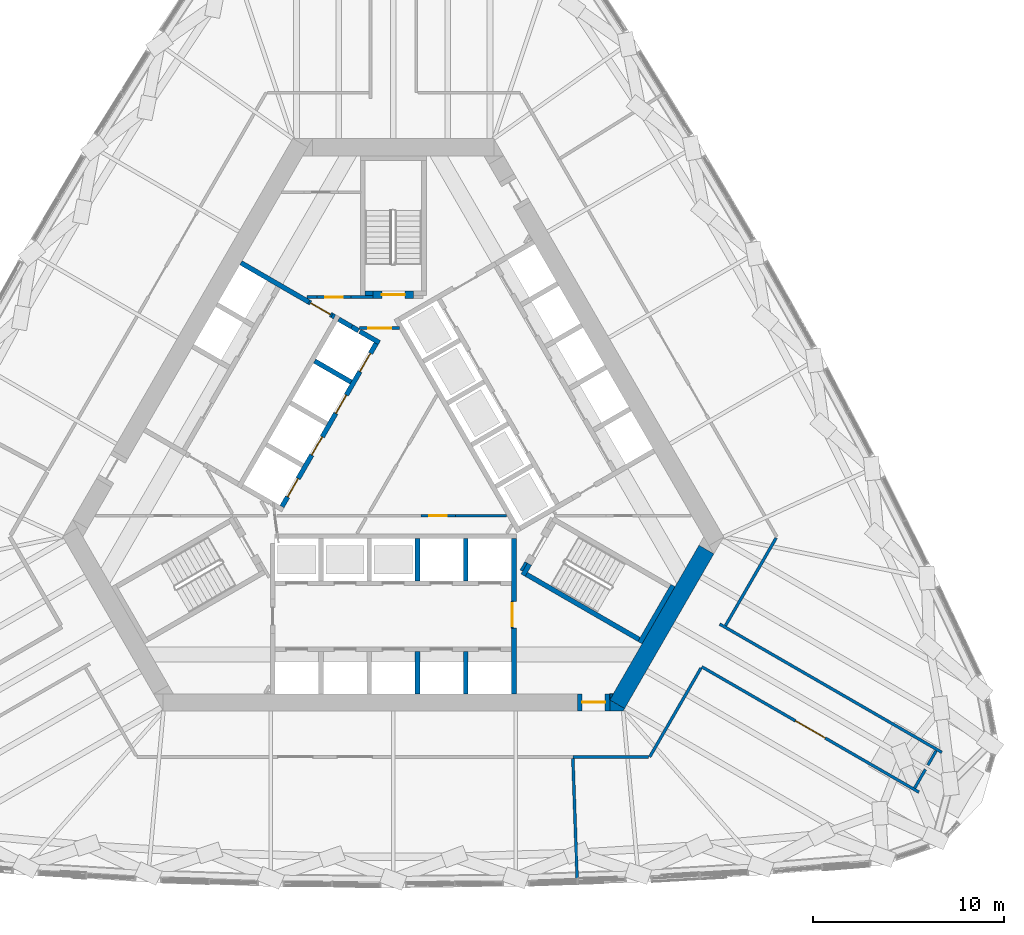
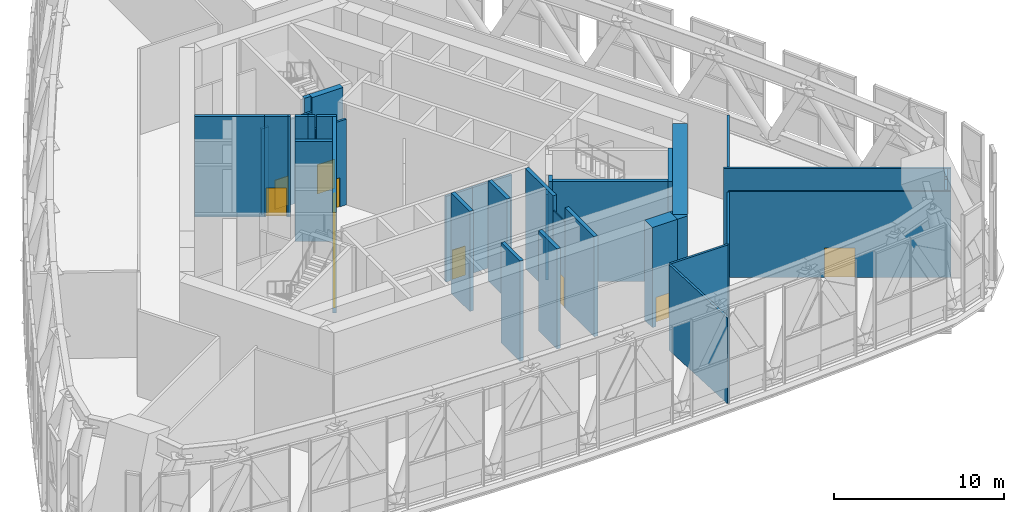
# One storey, part 23 of 33: 39 walls, 12 doors, 12 openings.
"""IFC4 building model written with IfcOpenShell, lengths in metres."""

from ifc_helpers import new_model, si_unit, direction, frame, frame_2d, origin, place, context, subcontext, project, spatial, polyline, rectangle, outline, extrude, material, layer, layer_set, type_object, element, fill, save


model = new_model("IFC4")

# Units and contexts
model_context = context("Model", 3, precision=1e-05, world=origin(), true_north=direction((0.0, 1.0)))
body_context = subcontext(model_context, "Body", "Model", "MODEL_VIEW")
ifc_project = project(units=[si_unit("LENGTHUNIT", "METRE"), si_unit("AREAUNIT", "SQUARE_METRE"), si_unit("VOLUMEUNIT", "CUBIC_METRE"), si_unit("PLANEANGLEUNIT", "RADIAN"), si_unit("MASSUNIT", "GRAM", prefix="KILO")], contexts=[model_context])

# Site, building, storey
site_placement = place(None, origin())
site = spatial("IfcSite", under=ifc_project, at=site_placement, CompositionType="ELEMENT")
building_placement = place(site_placement, origin())
building = spatial("IfcBuilding", under=site, at=building_placement, Name="Mestral Congress Tower", CompositionType="ELEMENT")
storey_placement = place(building_placement, frame((0.0, 0.0, 134.39990234375)))
storey = spatial("IfcBuildingStorey", under=building, at=storey_placement, Name="L32", CompositionType="ELEMENT", Elevation=134.39990234375)

# Walls
ifc_material_1 = material(Name="Fire-rated board partition")
ifc_layer_1 = layer(ifc_material_1, 0.14990234375)
ifc_layer_set_1 = layer_set([ifc_layer_1], Name="Fire-rated board partition")
wall_type_1 = type_object("IfcWallType", Name="Core partition 150", PredefinedType="PARTITIONING", material=ifc_layer_set_1)
wall_1_placement = place(storey_placement, frame((-3.99658203125, 8.625244140625, 0.0), z_axis=(0.0, 0.0, 1.0), x_axis=(-1.0, 0.0, 0.0)))
element("IfcWall", 1, at=wall_1_placement, inside=storey, type_object=wall_type_1, Name="L32 core wall", PredefinedType="PARTITIONING", context=body_context, shape_type="SweptSolid", body=[
    extrude(rectangle(XDim=0.502197265625, YDim=0.14990234375, at=frame_2d((0.2509765625, 0.0))), origin(), (0.0, 0.0, 1.0), 6.150146484375),
])
wall_2_placement = place(storey_placement, frame((6.68798828125, -5.667236328125, 0.0), z_axis=(0.0, 0.0, 1.0), x_axis=(0.499834152157, 0.86612113491, 0.0)))
element("IfcWall", 2, at=wall_2_placement, inside=storey, type_object=wall_type_1, Name="L32 core wall", PredefinedType="PARTITIONING", context=body_context, shape_type="SweptSolid", body=[
    extrude(rectangle(XDim=0.504638671875, YDim=0.14990234375, at=frame_2d((0.25244140625, 0.0))), origin(), (0.0, 0.0, 1.0), 6.150146484375),
])
wall_3_placement = place(storey_placement, frame((3.23828125, -2.800048828125, 0.0), z_axis=(0.0, 0.0, 1.0), x_axis=(1.0, 0.0, 0.0)))
element("IfcWall", 3, at=wall_3_placement, inside=storey, type_object=wall_type_1, Name="L32 core wall", PredefinedType="PARTITIONING", context=body_context, shape_type="SweptSolid", body=[
    extrude(rectangle(XDim=2.671630859375, YDim=0.14990234375, at=frame_2d((1.3359375, 0.0))), origin(), (0.0, 0.0, 1.0), 6.150146484375),
])
wall_4_placement = place(storey_placement, frame((-2.1962890625, 8.62548828125, 0.0), z_axis=(0.0, 0.0, 1.0), x_axis=(1.0, 0.0, 0.0)))
element("IfcWall", 4, at=wall_4_placement, inside=storey, type_object=wall_type_1, Name="L32 core wall", PredefinedType="PARTITIONING", context=body_context, shape_type="SweptSolid", body=[
    extrude(rectangle(XDim=1.146240234375, YDim=0.14990234375, at=frame_2d((0.5732421875, 0.0))), origin(), (0.0, 0.0, 1.0), 6.150146484375),
])

# Wall, opening, door
wall_5_placement = place(storey_placement, frame((-2.1962890625, 8.625, 0.0), z_axis=(0.0, 0.0, 1.0), x_axis=(-1.0, 0.0, 0.0)))
wall_5 = element("IfcWall", 5, at=wall_5_placement, inside=storey, type_object=wall_type_1, Name="L32 door wall", PredefinedType="PARTITIONING", context=body_context, shape_type="SweptSolid", body=[
    extrude(rectangle(XDim=1.800048828125, YDim=0.14990234375, at=frame_2d((0.89990234375, 0.0))), origin(), (0.0, 0.0, 1.0), 6.150146484375),
])
opening_1_placement = place(wall_5_placement, frame((0.449951171875, 0.0, 0.0)))
opening_1 = element("IfcOpeningElement", 6, at=opening_1_placement, cuts=wall_5, Name="Opening TD2", PredefinedType="OPENING", context=body_context, shape_type="SweptSolid", body=[
    extrude(rectangle(XDim=0.89990234375, YDim=2.10009765625, at=frame_2d((0.449951171875, 1.050048828125))), frame((0.0, 0.0849609375, 0.0), z_axis=(0.0, -1.0, 0.0), x_axis=(1.0, 0.0, 0.0)), (0.0, 0.0, 1.0), 0.169921875),
])
ifc_material_2 = material(Name="Fire-rated steel door set", Category="steel")
door_type_1 = type_object("IfcDoorType", Name="Core door SR 900x2100", OperationType="SINGLE_SWING_LEFT", PredefinedType="DOOR", material=ifc_material_2)
door_1_placement = place(opening_1_placement, origin())
door_1 = element("IfcDoor", 7, at=door_1_placement, inside=storey, type_object=door_type_1, Name="Door TD2", OperationType="SINGLE_SWING_LEFT", OverallHeight=2.10009765625, OverallWidth=0.89990234375, PredefinedType="DOOR", context=body_context, shape_type="SweptSolid", body=[
    extrude(rectangle(XDim=0.89990234375, YDim=2.10009765625, at=frame_2d((0.449951171875, 1.050048828125))), frame((0.0, 0.02490234375, 0.0), z_axis=(0.0, -1.0, 0.0), x_axis=(1.0, 0.0, 0.0)), (0.0, 0.0, 1.0), 0.050048828125),
])
fill(opening_1, door_1)

wall_6_placement = place(storey_placement, frame((-1.765380859375, 7.0, 0.0), z_axis=(0.0, 0.0, 1.0), x_axis=(1.0, 0.0, 0.0)))
wall_6 = element("IfcWall", 8, at=wall_6_placement, inside=storey, type_object=wall_type_1, Name="L32 door wall", PredefinedType="PARTITIONING", context=body_context, shape_type="SweptSolid", body=[
    extrude(rectangle(XDim=2.10009765625, YDim=0.14990234375, at=frame_2d((1.050048828125, 0.0))), origin(), (0.0, 0.0, 1.0), 6.150146484375),
])
opening_2_placement = place(wall_6_placement, frame((0.449951171875, 0.0, 0.0)))
opening_2 = element("IfcOpeningElement", 9, at=opening_2_placement, cuts=wall_6, Name="Opening CD2-FF", PredefinedType="OPENING", context=body_context, shape_type="SweptSolid", body=[
    extrude(rectangle(XDim=1.199951171875, YDim=2.10009765625, at=frame_2d((0.60009765625, 1.050048828125))), frame((0.0, 0.0849609375, 0.0), z_axis=(0.0, -1.0, 0.0), x_axis=(1.0, 0.0, 0.0)), (0.0, 0.0, 1.0), 0.169921875),
])
door_type_2 = type_object("IfcDoorType", Name="Core door CD 1200x2100", OperationType="SINGLE_SWING_LEFT", PredefinedType="DOOR", material=ifc_material_2)
door_2_placement = place(opening_2_placement, origin())
door_2 = element("IfcDoor", 10, at=door_2_placement, inside=storey, type_object=door_type_2, Name="Door CD2-FF", OperationType="SINGLE_SWING_LEFT", OverallHeight=2.10009765625, OverallWidth=1.199951171875, PredefinedType="DOOR", context=body_context, shape_type="SweptSolid", body=[
    extrude(rectangle(XDim=1.199951171875, YDim=2.10009765625, at=frame_2d((0.60009765625, 1.050048828125))), frame((0.0, 0.02490234375, 0.0), z_axis=(0.0, -1.0, 0.0), x_axis=(1.0, 0.0, 0.0)), (0.0, 0.0, 1.0), 0.050048828125),
])
fill(opening_2, door_2)

wall_7_placement = place(storey_placement, frame((1.438232421875, -2.800048828125, 0.0), z_axis=(0.0, 0.0, 1.0), x_axis=(1.0, 0.0, 0.0)))
wall_7 = element("IfcWall", 11, at=wall_7_placement, inside=storey, type_object=wall_type_1, Name="L32 door wall", PredefinedType="PARTITIONING", context=body_context, shape_type="SweptSolid", body=[
    extrude(rectangle(XDim=1.800048828125, YDim=0.14990234375, at=frame_2d((0.89990234375, 0.0))), origin(), (0.0, 0.0, 1.0), 6.150146484375),
])
opening_3_placement = place(wall_7_placement, frame((0.449951171875, 0.0, 0.0)))
opening_3 = element("IfcOpeningElement", 12, at=opening_3_placement, cuts=wall_7, Name="Opening SD-HUB3", PredefinedType="OPENING", context=body_context, shape_type="SweptSolid", body=[
    extrude(rectangle(XDim=0.89990234375, YDim=2.10009765625, at=frame_2d((0.449951171875, 1.050048828125))), frame((0.0, 0.0849609375, 0.0), z_axis=(0.0, -1.0, 0.0), x_axis=(1.0, 0.0, 0.0)), (0.0, 0.0, 1.0), 0.169921875),
])
door_3_placement = place(opening_3_placement, origin())
door_3 = element("IfcDoor", 13, at=door_3_placement, inside=storey, type_object=door_type_1, Name="Door SD-HUB3", OperationType="SINGLE_SWING_LEFT", OverallHeight=2.10009765625, OverallWidth=0.89990234375, PredefinedType="DOOR", context=body_context, shape_type="SweptSolid", body=[
    extrude(rectangle(XDim=0.89990234375, YDim=2.10009765625, at=frame_2d((0.449951171875, 1.050048828125))), frame((0.0, 0.02490234375, 0.0), z_axis=(0.0, -1.0, 0.0), x_axis=(1.0, 0.0, 0.0)), (0.0, 0.0, 1.0), 0.050048828125),
])
fill(opening_3, door_3)

ifc_layer_2 = layer(ifc_material_1, 0.090087890625)
ifc_layer_set_2 = layer_set([ifc_layer_2], Name="Fire-rated board partition")
wall_type_2 = type_object("IfcWallType", Name="Core partition 150 door-wall 90", PredefinedType="PARTITIONING", material=ifc_layer_set_2)
wall_8_placement = place(storey_placement, frame((6.219970703125, -7.266357421875, 0.0), z_axis=(0.0, 0.0, 1.0), x_axis=(0.0, -1.0, 0.0)))
wall_8 = element("IfcWall", 14, at=wall_8_placement, inside=storey, type_object=wall_type_2, Name="L32 door wall", PredefinedType="PARTITIONING", context=body_context, shape_type="SweptSolid", body=[
    extrude(rectangle(XDim=1.400146484375, YDim=0.090087890625, at=frame_2d((0.7001953125, 0.0))), origin(), (0.0, 0.0, 1.0), 6.150146484375),
])
opening_4_placement = place(wall_8_placement, frame((0.10009765625, 0.0, 0.0)))
opening_4 = element("IfcOpeningElement", 15, at=opening_4_placement, cuts=wall_8, Name="Opening LB0-WL1", PredefinedType="OPENING", context=body_context, shape_type="SweptSolid", body=[
    extrude(rectangle(XDim=1.199951171875, YDim=2.10009765625, at=frame_2d((0.60009765625, 1.050048828125))), frame((0.0, 0.054931640625, 0.0), z_axis=(0.0, -1.0, 0.0), x_axis=(1.0, 0.0, 0.0)), (0.0, 0.0, 1.0), 0.110107421875),
])
door_type_3 = type_object("IfcDoorType", Name="Core door LB 1200x2100", OperationType="SINGLE_SWING_LEFT", PredefinedType="DOOR", material=ifc_material_2)
door_4_placement = place(opening_4_placement, origin())
door_4 = element("IfcDoor", 16, at=door_4_placement, inside=storey, type_object=door_type_3, Name="Door LB0-WL1", OperationType="SINGLE_SWING_LEFT", OverallHeight=2.10009765625, OverallWidth=1.199951171875, PredefinedType="DOOR", context=body_context, shape_type="SweptSolid", body=[
    extrude(rectangle(XDim=1.199951171875, YDim=2.10009765625, at=frame_2d((0.60009765625, 1.050048828125))), frame((0.0, 0.02490234375, 0.0), z_axis=(0.0, -1.0, 0.0), x_axis=(1.0, 0.0, 0.0)), (0.0, 0.0, 1.0), 0.050048828125),
])
fill(opening_4, door_4)

# Walls
ifc_material_3 = material(Name="Concrete C60/75", Category="concrete")
ifc_layer_3 = layer(ifc_material_3, 0.89990234375)
ifc_layer_set_3 = layer_set([ifc_layer_3], Name="Concrete C60/75")
wall_type_3 = type_object("IfcWallType", Name="Core wall RC 900", PredefinedType="SOLIDWALL", material=ifc_layer_set_3)
wall_9_placement = place(storey_placement, frame((11.69482421875, -12.643798828125, 0.0), z_axis=(0.0, 0.0, 1.0), x_axis=(0.500010229568, 0.86601949766, 0.0)))
element("IfcWall", 17, at=wall_9_placement, inside=storey, type_object=wall_type_3, Name="L32 core wall", PredefinedType="SOLIDWALL", context=body_context, shape_type="SweptSolid", body=[
    extrude(rectangle(XDim=9.326416015625, YDim=0.89990234375, at=frame_2d((4.6630859375, 0.0))), origin(), (0.0, 0.0, 1.0), 7.2001953125),
])
placement = place(storey_placement, origin())
element("IfcWall", 18, at=placement, inside=storey, type_object=wall_type_3, Name="L32 core wall", PredefinedType="SOLIDWALL", context=body_context, shape_type="SweptSolid", body=[
    extrude(outline(polyline([(12.0087890625, -13.0), (11.31201171875, -13.0), (11.31201171875, -12.425048828125), (12.08349609375, -12.87060546875), (12.0087890625, -13.0)])), origin(), (0.0, 0.0, 1.0), 7.2001953125),
])
element("IfcWall", 19, at=placement, inside=storey, type_object=wall_type_3, Name="L32 core wall", PredefinedType="SOLIDWALL", context=body_context, shape_type="SweptSolid", body=[
    extrude(outline(polyline([(11.4892578125, -12.10009765625), (11.31201171875, -12.4072265625), (11.31201171875, -12.10009765625), (11.4892578125, -12.10009765625)])), origin(), (0.0, 0.0, 1.0), 7.2001953125),
])

# Wall, opening, door
wall_12_placement = place(storey_placement, frame((11.311767578125, -12.550048828125, 0.0), z_axis=(0.0, 0.0, 1.0), x_axis=(-1.0, 0.0, 0.0)))
wall_12 = element("IfcWall", 20, at=wall_12_placement, inside=storey, type_object=wall_type_3, Name="L32 door wall", PredefinedType="SOLIDWALL", context=body_context, shape_type="SweptSolid", body=[
    extrude(rectangle(XDim=1.699951171875, YDim=0.89990234375, at=frame_2d((0.85009765625, 0.0))), origin(), (0.0, 0.0, 1.0), 7.2001953125),
])
opening_5_placement = place(wall_12_placement, frame((0.25, 0.0, 0.0)))
opening_5 = element("IfcOpeningElement", 21, at=opening_5_placement, cuts=wall_12, Name="Opening XD1", PredefinedType="OPENING", context=body_context, shape_type="SweptSolid", body=[
    extrude(rectangle(XDim=1.199951171875, YDim=2.10009765625, at=frame_2d((0.60009765625, 1.050048828125))), frame((0.0, 0.4599609375, 0.0), z_axis=(0.0, -1.0, 0.0), x_axis=(1.0, 0.0, 0.0)), (0.0, 0.0, 1.0), 0.919921875),
])
door_type_4 = type_object("IfcDoorType", Name="Core door XD 1200x2100", OperationType="SINGLE_SWING_LEFT", PredefinedType="DOOR", material=ifc_material_2)
door_5_placement = place(opening_5_placement, origin())
door_5 = element("IfcDoor", 22, at=door_5_placement, inside=storey, type_object=door_type_4, Name="Door XD1", OperationType="SINGLE_SWING_LEFT", OverallHeight=2.10009765625, OverallWidth=1.199951171875, PredefinedType="DOOR", context=body_context, shape_type="SweptSolid", body=[
    extrude(rectangle(XDim=1.199951171875, YDim=2.10009765625, at=frame_2d((0.60009765625, 1.050048828125))), frame((0.0, 0.02490234375, 0.0), z_axis=(0.0, -1.0, 0.0), x_axis=(1.0, 0.0, 0.0)), (0.0, 0.0, 1.0), 0.050048828125),
])
fill(opening_5, door_5)

# Walls
ifc_layer_4 = layer(ifc_material_3, 0.25)
ifc_layer_set_4 = layer_set([ifc_layer_4], Name="Concrete C60/75")
wall_type_4 = type_object("IfcWallType", Name="Shaft wall RC 250", PredefinedType="SOLIDWALL", material=ifc_layer_set_4)
wall_13_placement = place(storey_placement, frame((6.300048828125, -8.669921875, 0.0), z_axis=(0.0, 0.0, 1.0), x_axis=(0.0, -1.0, 0.0)))
element("IfcWall", 23, at=wall_13_placement, inside=storey, type_object=wall_type_4, Name="L32 core wall", PredefinedType="SOLIDWALL", context=body_context, shape_type="SweptSolid", body=[
    extrude(rectangle(XDim=3.43017578125, YDim=0.25, at=frame_2d((1.715087890625, 0.0))), origin(), (0.0, 0.0, 1.0), 7.2001953125),
])
wall_14_placement = place(storey_placement, frame((6.300048828125, -7.26806640625, 0.0), z_axis=(0.0, 0.0, 1.0), x_axis=(0.0, 1.0, 0.0)))
element("IfcWall", 24, at=wall_14_placement, inside=storey, type_object=wall_type_4, Name="L32 core wall", PredefinedType="SOLIDWALL", context=body_context, shape_type="SweptSolid", body=[
    extrude(rectangle(XDim=3.26806640625, YDim=0.25, at=frame_2d((1.634033203125, 0.0))), origin(), (0.0, 0.0, 1.0), 7.2001953125),
])
for number, where, z_axis, x_axis, name in (
    (25, (3.780029296875, -4.0, 0.0), (0.0, 0.0, 1.0), (0.0, -1.0, 0.0), "L32 core wall"),
    (26, (1.260009765625, -4.0, 0.0), (0.0, 0.0, 1.0), (0.0, -1.0, 0.0), "L32 core wall"),
    (27, (3.780029296875, -12.10009765625, 0.0), (0.0, 0.0, 1.0), (0.0, 1.0, 0.0), "L32 core wall"),
    (28, (1.260009765625, -12.10009765625, 0.0), (0.0, 0.0, 1.0), (0.0, 1.0, 0.0), "L32 core wall"),
):
    element("IfcWall", number, at=place(storey_placement, frame(where, z_axis=z_axis, x_axis=x_axis)), inside=storey, type_object=wall_type_4, Name=name, PredefinedType="SOLIDWALL", context=body_context, shape_type="SweptSolid", body=[
        extrude(rectangle(XDim=2.199951171875, YDim=0.25, at=frame_2d((1.10009765625, 0.0))), origin(), (0.0, 0.0, 1.0), 7.2001953125),
    ])
wall_15_placement = place(storey_placement, frame((-1.818603515625, 6.869873046875, 0.0), z_axis=(0.0, 0.0, 1.0), x_axis=(-0.866294599386, 0.499533449405, 0.0)))
element("IfcWall", 29, at=wall_15_placement, inside=storey, type_object=wall_type_4, Name="L32 core wall", PredefinedType="SOLIDWALL", context=body_context, shape_type="SweptSolid", body=[
    extrude(rectangle(XDim=0.41015625, YDim=0.25, at=frame_2d((0.205078125, 0.0))), origin(), (0.0, 0.0, 1.0), 7.2001953125),
])
wall_16_placement = place(storey_placement, frame((-2.849365234375, 7.46484375, 0.0), z_axis=(0.0, 0.0, 1.0), x_axis=(0.865955664968, -0.500120771724, 0.0)))
element("IfcWall", 30, at=wall_16_placement, inside=storey, type_object=wall_type_4, Name="L32 core wall", PredefinedType="SOLIDWALL", context=body_context, shape_type="SweptSolid", body=[
    extrude(rectangle(XDim=0.778076171875, YDim=0.25, at=frame_2d((0.38916015625, 0.0))), origin(), (0.0, 0.0, 1.0), 7.2001953125),
])
wall_17_placement = place(storey_placement, frame((-0.7275390625, 6.23974609375, 0.0), z_axis=(0.0, 0.0, 1.0), x_axis=(-0.866002680491, 0.500039355833, 0.0)))
element("IfcWall", 31, at=wall_17_placement, inside=storey, type_object=wall_type_4, Name="L32 core wall", PredefinedType="SOLIDWALL", context=body_context, shape_type="SweptSolid", body=[
    extrude(rectangle(XDim=1.17822265625, YDim=0.25, at=frame_2d((0.589111328125, 0.0))), origin(), (0.0, 0.0, 1.0), 7.2001953125),
])
wall_18_placement = place(storey_placement, frame((-2.2041015625, 4.182373046875, 0.0), z_axis=(0.0, 0.0, 1.0), x_axis=(-0.866008176907, 0.50002983664, 0.0)))
element("IfcWall", 32, at=wall_18_placement, inside=storey, type_object=wall_type_4, Name="L32 core wall", PredefinedType="SOLIDWALL", context=body_context, shape_type="SweptSolid", body=[
    extrude(rectangle(XDim=2.199951171875, YDim=0.25, at=frame_2d((1.10009765625, 0.0))), origin(), (0.0, 0.0, 1.0), 7.2001953125),
])
element("IfcWall", 33, at=placement, inside=storey, type_object=wall_type_4, Name="L32 core wall", PredefinedType="SOLIDWALL", context=body_context, shape_type="SweptSolid", body=[
    extrude(outline(polyline([(-3.12841796875, 7.4814453125), (-3.2587890625, 7.556640625), (-3.1337890625, 7.773193359375), (-3.00341796875, 7.697998046875), (-3.12841796875, 7.4814453125)])), origin(), (0.0, 0.0, 1.0), 7.2001953125),
])
wall_20_placement = place(storey_placement, frame((-7.958984375, 10.414794921875, 0.0), z_axis=(0.0, 0.0, 1.0), x_axis=(0.866020958405, -0.500007699544, 0.0)))
element("IfcWall", 34, at=wall_20_placement, inside=storey, type_object=wall_type_4, Name="L32 core wall", PredefinedType="SOLIDWALL", context=body_context, shape_type="SweptSolid", body=[
    extrude(rectangle(XDim=4.099609375, YDim=0.25, at=frame_2d((2.0498046875, 0.0))), origin(), (0.0, 0.0, 1.0), 7.2001953125),
])

# Wall, openings, doors
wall_21_placement = place(storey_placement, frame((-0.898193359375, 6.194091796875, 0.0), z_axis=(0.0, 0.0, 1.0), x_axis=(-0.499996202215, -0.866027596426, 0.0)))
wall_21 = element("IfcWall", 35, at=wall_21_placement, inside=storey, type_object=wall_type_4, Name="L32 door wall", PredefinedType="SOLIDWALL", context=body_context, shape_type="SweptSolid", body=[
    extrude(rectangle(XDim=9.830078125, YDim=0.25, at=frame_2d((4.9150390625, 0.0))), origin(), (0.0, 0.0, 1.0), 7.2001953125),
])
opening_6_placement = place(wall_21_placement, frame((0.5849609375, 0.0, 0.0)))
opening_6 = element("IfcOpeningElement", 36, at=opening_6_placement, cuts=wall_21, Name="Opening LD-NWB1", PredefinedType="OPENING", context=body_context, shape_type="SweptSolid", body=[
    extrude(rectangle(XDim=1.10009765625, YDim=2.10009765625, at=frame_2d((0.550048828125, 1.050048828125))), frame((0.0, 0.135009765625, 0.0), z_axis=(0.0, -1.0, 0.0), x_axis=(1.0, 0.0, 0.0)), (0.0, 0.0, 1.0), 0.27001953125),
])
opening_7_placement = place(wall_21_placement, frame((3.10498046875, 0.0, 0.0)))
opening_7 = element("IfcOpeningElement", 37, at=opening_7_placement, cuts=wall_21, Name="Opening LD-NWB2", PredefinedType="OPENING", context=body_context, shape_type="SweptSolid", body=[
    extrude(rectangle(XDim=1.10009765625, YDim=2.10009765625, at=frame_2d((0.550048828125, 1.050048828125))), frame((0.0, 0.135009765625, 0.0), z_axis=(0.0, -1.0, 0.0), x_axis=(1.0, 0.0, 0.0)), (0.0, 0.0, 1.0), 0.27001953125),
])
opening_8_placement = place(wall_21_placement, frame((5.625, 0.0, 0.0)))
opening_8 = element("IfcOpeningElement", 38, at=opening_8_placement, cuts=wall_21, Name="Opening LD-NWB3", PredefinedType="OPENING", context=body_context, shape_type="SweptSolid", body=[
    extrude(rectangle(XDim=1.10009765625, YDim=2.10009765625, at=frame_2d((0.550048828125, 1.050048828125))), frame((0.0, 0.135009765625, 0.0), z_axis=(0.0, -1.0, 0.0), x_axis=(1.0, 0.0, 0.0)), (0.0, 0.0, 1.0), 0.27001953125),
])
opening_9_placement = place(wall_21_placement, frame((8.14501953125, 0.0, 0.0)))
opening_9 = element("IfcOpeningElement", 39, at=opening_9_placement, cuts=wall_21, Name="Opening LD-NWB4", PredefinedType="OPENING", context=body_context, shape_type="SweptSolid", body=[
    extrude(rectangle(XDim=1.10009765625, YDim=2.10009765625, at=frame_2d((0.550048828125, 1.050048828125))), frame((0.0, 0.135009765625, 0.0), z_axis=(0.0, -1.0, 0.0), x_axis=(1.0, 0.0, 0.0)), (0.0, 0.0, 1.0), 0.27001953125),
])
door_type_5 = type_object("IfcDoorType", Name="Core door LD 1100x2100", OperationType="DOUBLE_DOOR_SLIDING", PredefinedType="DOOR", material=ifc_material_2)
door_6_placement = place(opening_6_placement, origin())
door_6 = element("IfcDoor", 40, at=door_6_placement, inside=storey, type_object=door_type_5, Name="Door LD-NWB1", OperationType="DOUBLE_DOOR_SLIDING", OverallHeight=2.10009765625, OverallWidth=1.10009765625, PredefinedType="DOOR", context=body_context, shape_type="SweptSolid", body=[
    extrude(rectangle(XDim=1.10009765625, YDim=2.10009765625, at=frame_2d((0.550048828125, 1.050048828125))), frame((0.0, 0.02490234375, 0.0), z_axis=(0.0, -1.0, 0.0), x_axis=(1.0, 0.0, 0.0)), (0.0, 0.0, 1.0), 0.050048828125),
])
fill(opening_6, door_6)
door_7_placement = place(opening_7_placement, origin())
door_7 = element("IfcDoor", 41, at=door_7_placement, inside=storey, type_object=door_type_5, Name="Door LD-NWB2", OperationType="DOUBLE_DOOR_SLIDING", OverallHeight=2.10009765625, OverallWidth=1.10009765625, PredefinedType="DOOR", context=body_context, shape_type="SweptSolid", body=[
    extrude(rectangle(XDim=1.10009765625, YDim=2.10009765625, at=frame_2d((0.550048828125, 1.050048828125))), frame((0.0, 0.02490234375, 0.0), z_axis=(0.0, -1.0, 0.0), x_axis=(1.0, 0.0, 0.0)), (0.0, 0.0, 1.0), 0.050048828125),
])
fill(opening_7, door_7)
door_8_placement = place(opening_8_placement, origin())
door_8 = element("IfcDoor", 42, at=door_8_placement, inside=storey, type_object=door_type_5, Name="Door LD-NWB3", OperationType="DOUBLE_DOOR_SLIDING", OverallHeight=2.10009765625, OverallWidth=1.10009765625, PredefinedType="DOOR", context=body_context, shape_type="SweptSolid", body=[
    extrude(rectangle(XDim=1.10009765625, YDim=2.10009765625, at=frame_2d((0.550048828125, 1.050048828125))), frame((0.0, 0.02490234375, 0.0), z_axis=(0.0, -1.0, 0.0), x_axis=(1.0, 0.0, 0.0)), (0.0, 0.0, 1.0), 0.050048828125),
])
fill(opening_8, door_8)
door_9_placement = place(opening_9_placement, origin())
door_9 = element("IfcDoor", 43, at=door_9_placement, inside=storey, type_object=door_type_5, Name="Door LD-NWB4", OperationType="DOUBLE_DOOR_SLIDING", OverallHeight=2.10009765625, OverallWidth=1.10009765625, PredefinedType="DOOR", context=body_context, shape_type="SweptSolid", body=[
    extrude(rectangle(XDim=1.10009765625, YDim=2.10009765625, at=frame_2d((0.550048828125, 1.050048828125))), frame((0.0, 0.02490234375, 0.0), z_axis=(0.0, -1.0, 0.0), x_axis=(1.0, 0.0, 0.0)), (0.0, 0.0, 1.0), 0.050048828125),
])
fill(opening_9, door_9)

# Wall, opening, door
wall_22_placement = place(storey_placement, frame((-4.40869140625, 8.364990234375, 0.0), z_axis=(0.0, 0.0, 1.0), x_axis=(0.866034573852, -0.49998411664, 0.0)))
wall_22 = element("IfcWall", 44, at=wall_22_placement, inside=storey, type_object=wall_type_4, Name="L32 door wall", PredefinedType="SOLIDWALL", context=body_context, shape_type="SweptSolid", body=[
    extrude(rectangle(XDim=1.39990234375, YDim=0.25, at=frame_2d((0.699951171875, 0.0))), origin(), (0.0, 0.0, 1.0), 7.2001953125),
])
opening_10_placement = place(wall_22_placement, frame((0.10009765625, 0.0, 0.0)))
opening_10 = element("IfcOpeningElement", 45, at=opening_10_placement, cuts=wall_22, Name="Opening LB2-WL2", PredefinedType="OPENING", context=body_context, shape_type="SweptSolid", body=[
    extrude(rectangle(XDim=1.199951171875, YDim=2.10009765625, at=frame_2d((0.60009765625, 1.050048828125))), frame((0.0, 0.135009765625, 0.0), z_axis=(0.0, -1.0, 0.0), x_axis=(1.0, 0.0, 0.0)), (0.0, 0.0, 1.0), 0.27001953125),
])
door_10_placement = place(opening_10_placement, origin())
door_10 = element("IfcDoor", 46, at=door_10_placement, inside=storey, type_object=door_type_3, Name="Door LB2-WL2", OperationType="SINGLE_SWING_LEFT", OverallHeight=2.10009765625, OverallWidth=1.199951171875, PredefinedType="DOOR", context=body_context, shape_type="SweptSolid", body=[
    extrude(rectangle(XDim=1.199951171875, YDim=2.10009765625, at=frame_2d((0.60009765625, 1.050048828125))), frame((0.0, 0.02490234375, 0.0), z_axis=(0.0, -1.0, 0.0), x_axis=(1.0, 0.0, 0.0)), (0.0, 0.0, 1.0), 0.050048828125),
])
fill(opening_10, door_10)

ifc_layer_5 = layer(ifc_material_1, 0.14990234375)
ifc_layer_set_5 = layer_set([ifc_layer_5], Name="Fire-rated board partition")
wall_type_5 = type_object("IfcWallType", Name="Special partition 150 EI 180", PredefinedType="PARTITIONING", material=ifc_layer_set_5)
wall_23_placement = place(storey_placement, frame((16.1142578125, -10.689208984375, 0.0), z_axis=(0.0, 0.0, 1.0), x_axis=(0.866025427251, -0.499999959354, 0.0)))
wall_23 = element("IfcWall", 47, at=wall_23_placement, inside=storey, type_object=wall_type_5, Name="Partition", PredefinedType="PARTITIONING", context=body_context, shape_type="SweptSolid", body=[
    extrude(rectangle(XDim=13.0986328125, YDim=0.14990234375, at=frame_2d((6.54931640625, 0.0))), origin(), (0.0, 0.0, 1.0), 6.150146484375),
])
opening_11_placement = place(wall_23_placement, frame((5.6494140625, 0.0, 0.0)))
opening_11 = element("IfcOpeningElement", 48, at=opening_11_placement, cuts=wall_23, Name="Opening S32-004", PredefinedType="OPENING", context=body_context, shape_type="SweptSolid", body=[
    extrude(rectangle(XDim=1.800048828125, YDim=2.10009765625, at=frame_2d((0.89990234375, 1.050048828125))), frame((0.0, 0.0849609375, 0.0), z_axis=(0.0, -1.0, 0.0), x_axis=(1.0, 0.0, 0.0)), (0.0, 0.0, 1.0), 0.169921875),
])
door_type_6 = type_object("IfcDoorType", Name="Assembly double door 1800x2100", OperationType="DOUBLE_DOOR_SINGLE_SWING", PredefinedType="DOOR", material=ifc_material_2)
door_11_placement = place(opening_11_placement, origin())
door_11 = element("IfcDoor", 49, at=door_11_placement, inside=storey, type_object=door_type_6, Name="Door S32-004", OperationType="DOUBLE_DOOR_SINGLE_SWING", OverallHeight=2.10009765625, OverallWidth=1.800048828125, PredefinedType="DOOR", context=body_context, shape_type="SweptSolid", body=[
    extrude(rectangle(XDim=1.800048828125, YDim=2.10009765625, at=frame_2d((0.89990234375, 1.050048828125))), frame((0.0, 0.02490234375, 0.0), z_axis=(0.0, -1.0, 0.0), x_axis=(1.0, 0.0, 0.0)), (0.0, 0.0, 1.0), 0.050048828125),
])
fill(opening_11, door_11)

# Walls
wall_24_placement = place(storey_placement, frame((17.054443359375, -8.460693359375, 0.0), z_axis=(0.0, 0.0, 1.0), x_axis=(0.866019909064, -0.500009517014, 0.0)))
element("IfcWall", 50, at=wall_24_placement, inside=storey, type_object=wall_type_5, Name="Partition", PredefinedType="PARTITIONING", context=body_context, shape_type="SweptSolid", body=[
    extrude(rectangle(XDim=13.398681640625, YDim=0.14990234375, at=frame_2d((6.69921875, 0.0))), origin(), (0.0, 0.0, 1.0), 6.150146484375),
])
wall_25_placement = place(storey_placement, frame((9.38232421875, -15.47998046875, 0.0), z_axis=(0.0, 0.0, 1.0), x_axis=(0.035074721938, -0.999384692639, 0.0)))
element("IfcWall", 51, at=wall_25_placement, inside=storey, type_object=wall_type_5, Name="Partition", PredefinedType="PARTITIONING", context=body_context, shape_type="SweptSolid", body=[
    extrude(rectangle(XDim=6.480224609375, YDim=0.14990234375, at=frame_2d((3.240234375, 0.0))), origin(), (0.0, 0.0, 1.0), 6.150146484375),
])
wall_26_placement = place(storey_placement, frame((19.9990234375, -3.960693359375, 0.0), z_axis=(0.0, 0.0, 1.0), x_axis=(-0.500006123685, -0.866021868245, 0.0)))
element("IfcWall", 52, at=wall_26_placement, inside=storey, type_object=wall_type_5, Name="Partition", PredefinedType="PARTITIONING", context=body_context, shape_type="SweptSolid", body=[
    extrude(rectangle(XDim=5.28955078125, YDim=0.14990234375, at=frame_2d((2.644775390625, 0.0))), origin(), (0.0, 0.0, 1.0), 6.150146484375),
])
wall_27_placement = place(storey_placement, frame((16.07421875, -10.758544921875, 0.0), z_axis=(0.0, 0.0, 1.0), x_axis=(-0.499999796116, -0.866025521497, 0.0)))
element("IfcWall", 53, at=wall_27_placement, inside=storey, type_object=wall_type_5, Name="Partition", PredefinedType="PARTITIONING", context=body_context, shape_type="SweptSolid", body=[
    extrude(rectangle(XDim=5.359375, YDim=0.14990234375, at=frame_2d((2.6796875, 0.0))), origin(), (0.0, 0.0, 1.0), 6.150146484375),
])
wall_28_placement = place(storey_placement, frame((13.324462890625, -15.39990234375, 0.0), z_axis=(0.0, 0.0, 1.0), x_axis=(-1.0, 0.0, 0.0)))
element("IfcWall", 54, at=wall_28_placement, inside=storey, type_object=wall_type_5, Name="Partition", PredefinedType="PARTITIONING", context=body_context, shape_type="SweptSolid", body=[
    extrude(rectangle(XDim=3.93505859375, YDim=0.14990234375, at=frame_2d((1.967529296875, 0.0))), origin(), (0.0, 0.0, 1.0), 6.150146484375),
])
wall_29_placement = place(storey_placement, frame((27.79833984375, -16.049072265625, 0.0), z_axis=(0.0, 0.0, 1.0), x_axis=(-0.499936258447, -0.86606220186, 0.0)))
element("IfcWall", 55, at=wall_29_placement, inside=storey, type_object=wall_type_5, Name="Partition", PredefinedType="PARTITIONING", context=body_context, shape_type="SweptSolid", body=[
    extrude(rectangle(XDim=1.120361328125, YDim=0.14990234375, at=frame_2d((0.56005859375, 0.0))), origin(), (0.0, 0.0, 1.0), 6.150146484375),
])
wall_30_placement = place(storey_placement, frame((28.358154296875, -15.079345703125, 0.0), z_axis=(0.0, 0.0, 1.0), x_axis=(-0.500017393812, -0.86601536123, 0.0)))
element("IfcWall", 56, at=wall_30_placement, inside=storey, type_object=wall_type_5, Name="Partition", PredefinedType="PARTITIONING", context=body_context, shape_type="SweptSolid", body=[
    extrude(rectangle(XDim=0.85986328125, YDim=0.14990234375, at=frame_2d((0.429931640625, 0.0))), origin(), (0.0, 0.0, 1.0), 6.150146484375),
])
ifc_layer_6 = layer(ifc_material_3, 0.25)
ifc_layer_set_6 = layer_set([ifc_layer_6], Name="Concrete C60/75")
wall_type_6 = type_object("IfcWallType", Name="Stair wall RC 250", PredefinedType="SOLIDWALL", material=ifc_layer_set_6)
wall_31_placement = place(storey_placement, frame((12.885498046875, -9.431396484375, 0.0), z_axis=(0.0, 0.0, 1.0), x_axis=(0.500020560727, 0.866013532718, 0.0)))
element("IfcWall", 57, at=wall_31_placement, inside=storey, type_object=wall_type_6, Name="L32 core wall", PredefinedType="SOLIDWALL", context=body_context, shape_type="SweptSolid", body=[
    extrude(rectangle(XDim=3.449951171875, YDim=0.25, at=frame_2d((1.72509765625, 0.0))), origin(), (0.0, 0.0, 1.0), 7.2001953125),
])
wall_32_placement = place(storey_placement, frame((12.83984375, -9.2607421875, 0.0), z_axis=(0.0, 0.0, 1.0), x_axis=(-0.866013990052, 0.500019768644, 0.0)))
element("IfcWall", 58, at=wall_32_placement, inside=storey, type_object=wall_type_6, Name="L32 core wall", PredefinedType="SOLIDWALL", context=body_context, shape_type="SweptSolid", body=[
    extrude(rectangle(XDim=6.800048828125, YDim=0.25, at=frame_2d((3.39990234375, 0.0))), origin(), (0.0, 0.0, 1.0), 7.2001953125),
])
wall_33_placement = place(storey_placement, frame((7.11279296875, -5.330078125, 0.0), z_axis=(0.0, 0.0, 1.0), x_axis=(-0.499965889992, -0.866045096311, 0.0)))
element("IfcWall", 59, at=wall_33_placement, inside=storey, type_object=wall_type_6, Name="L32 core wall", PredefinedType="SOLIDWALL", context=body_context, shape_type="SweptSolid", body=[
    extrude(rectangle(XDim=0.66552734375, YDim=0.25, at=frame_2d((0.332763671875, 0.0))), origin(), (0.0, 0.0, 1.0), 7.2001953125),
])
wall_34_placement = place(storey_placement, frame((-1.47509765625, 8.824951171875, 0.0), z_axis=(0.0, 0.0, 1.0), x_axis=(1.0, 0.0, 0.0)))
element("IfcWall", 60, at=wall_34_placement, inside=storey, type_object=wall_type_6, Name="L32 core wall", PredefinedType="SOLIDWALL", context=body_context, shape_type="SweptSolid", body=[
    extrude(rectangle(XDim=0.425048828125, YDim=0.25, at=frame_2d((0.21240234375, 0.0))), origin(), (0.0, 0.0, 1.0), 7.2001953125),
])

# Wall, opening, door
ifc_layer_7 = layer(ifc_material_3, 0.39990234375)
ifc_layer_set_7 = layer_set([ifc_layer_7], Name="Concrete C60/75")
wall_type_7 = type_object("IfcWallType", Name="Stair wall RC 250 door-wall 400", PredefinedType="SOLIDWALL", material=ifc_layer_set_7)
wall_35_placement = place(storey_placement, frame((1.050048828125, 8.75, 0.0), z_axis=(0.0, 0.0, 1.0), x_axis=(-1.0, 0.0, 0.0)))
wall_35 = element("IfcWall", 61, at=wall_35_placement, inside=storey, type_object=wall_type_7, Name="L32 door wall", PredefinedType="SOLIDWALL", context=body_context, shape_type="SweptSolid", body=[
    extrude(rectangle(XDim=2.10009765625, YDim=0.39990234375, at=frame_2d((1.050048828125, 0.0))), origin(), (0.0, 0.0, 1.0), 7.2001953125),
])
opening_12_placement = place(wall_35_placement, frame((0.449951171875, 0.0, 0.0)))
opening_12 = element("IfcOpeningElement", 62, at=opening_12_placement, cuts=wall_35, Name="Opening ST-D2", PredefinedType="OPENING", context=body_context, shape_type="SweptSolid", body=[
    extrude(rectangle(XDim=1.199951171875, YDim=2.10009765625, at=frame_2d((0.60009765625, 1.050048828125))), frame((0.0, 0.2099609375, 0.0), z_axis=(0.0, -1.0, 0.0), x_axis=(1.0, 0.0, 0.0)), (0.0, 0.0, 1.0), 0.419921875),
])
door_type_7 = type_object("IfcDoorType", Name="Core door ST 1200x2100", OperationType="SINGLE_SWING_LEFT", PredefinedType="DOOR", material=ifc_material_2)
door_12_placement = place(opening_12_placement, origin())
door_12 = element("IfcDoor", 63, at=door_12_placement, inside=storey, type_object=door_type_7, Name="Door ST-D2", OperationType="SINGLE_SWING_LEFT", OverallHeight=2.10009765625, OverallWidth=1.199951171875, PredefinedType="DOOR", context=body_context, shape_type="SweptSolid", body=[
    extrude(rectangle(XDim=1.199951171875, YDim=2.10009765625, at=frame_2d((0.60009765625, 1.050048828125))), frame((0.0, 0.02490234375, 0.0), z_axis=(0.0, -1.0, 0.0), x_axis=(1.0, 0.0, 0.0)), (0.0, 0.0, 1.0), 0.050048828125),
])
fill(opening_12, door_12)

save(model, "model.ifc")
